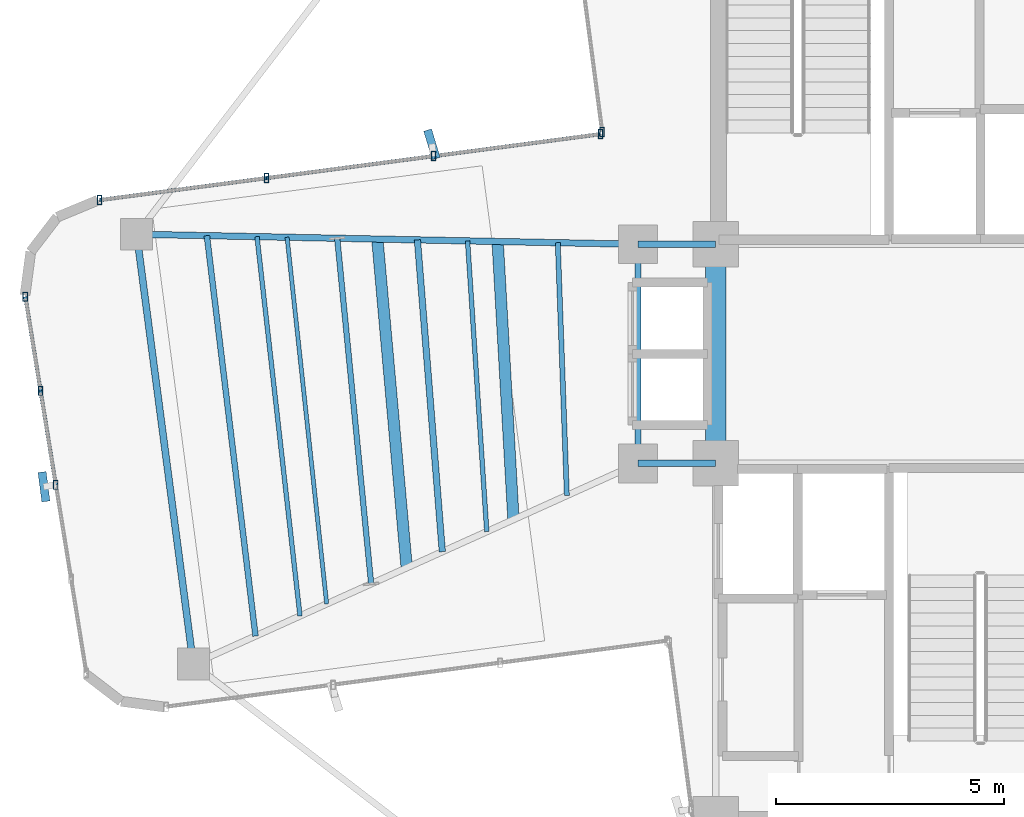
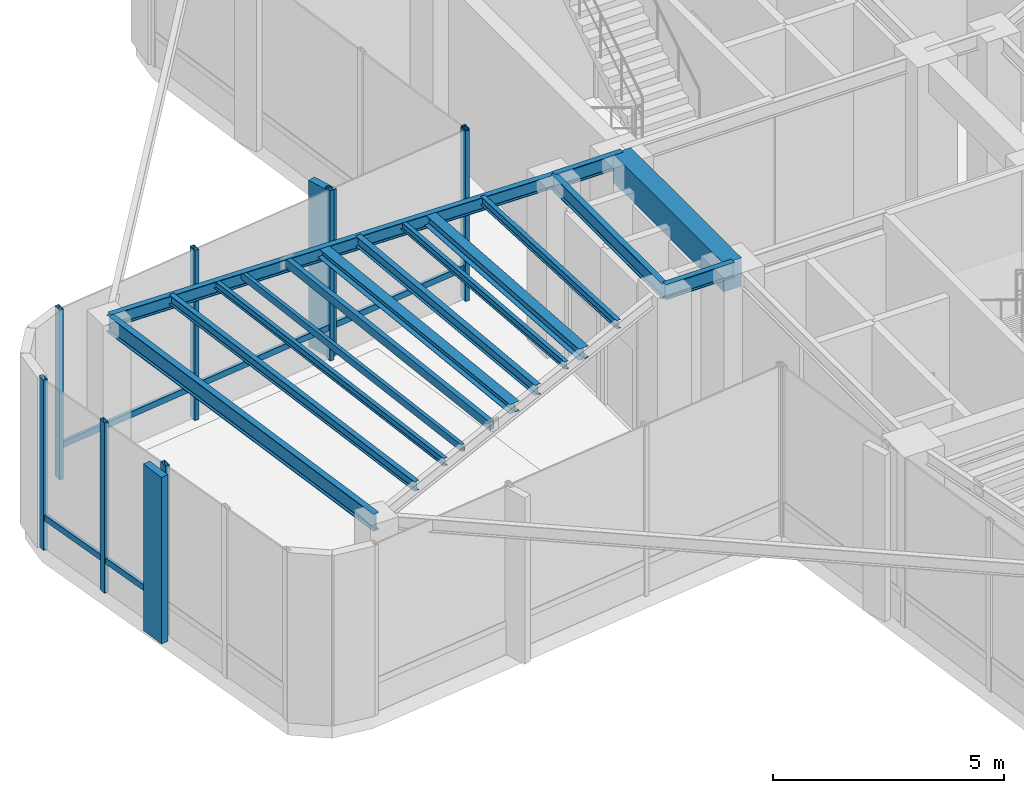
# One storey, part 5 of 16: 15 beams, 15 members, 3 elements without a shape of their own.
"""IFC4 building model written with IfcOpenShell, lengths in metres."""

from ifc_helpers import new_model, si_unit, direction, frame, origin, origin_2d, place, context, subcontext, project, spatial, rectangle, hollow_rectangle, i_section, extrude, source, transform, mapped, material, material_profile, profile_set, type_object, element, aggregate, save


model = new_model("IFC4")

# Units and contexts
model_context = context("Model", 3, precision=1e-05, world=origin(), true_north=direction((0.0, 1.0)))
body_context = subcontext(model_context, "Body", "Model", "MODEL_VIEW")
ifc_project = project(units=[si_unit("LENGTHUNIT", "METRE"), si_unit("AREAUNIT", "SQUARE_METRE"), si_unit("VOLUMEUNIT", "CUBIC_METRE"), si_unit("PLANEANGLEUNIT", "RADIAN"), si_unit("MASSUNIT", "GRAM", prefix="KILO")], contexts=[model_context])

# Site, building, storey
site_placement = place(None, origin())
site = spatial("IfcSite", under=ifc_project, at=site_placement, CompositionType="ELEMENT")
building_placement = place(site_placement, origin())
building = spatial("IfcBuilding", under=site, at=building_placement, Name="Sahyath Konkavel Grand Hotel", CompositionType="ELEMENT")
storey_placement = place(building_placement, frame((0.0, 0.0, 280.300048828125)))
storey = spatial("IfcBuildingStorey", under=building, at=storey_placement, Name="L78", CompositionType="ELEMENT", Elevation=280.300048828125)

# Beams
ifc_material_1 = material(Name="Steel E350", Category="steel")
ifc_material_profile_1 = material_profile(ifc_material_1, i_section(OverallWidth=0.139892578125, OverallDepth=0.39990234375, WebThickness=0.0087890625, FlangeThickness=0.01611328125, FilletRadius=0.013916015625, at=origin_2d()), Name="ISMB 400")
ifc_profile_set_1 = profile_set([ifc_material_profile_1], Name="Steel E350")
beam_type_1 = type_object("IfcBeamType", Name="BM-ISMB400", PredefinedType="BEAM", material=ifc_profile_set_1)
shared_shape_1 = source(origin(), body_context, "Body", "SweptSolid", [
    extrude(i_section(OverallWidth=0.139892578125, OverallDepth=0.39990234375, WebThickness=0.0087890625, FlangeThickness=0.01611328125, FilletRadius=0.013916015625, at=origin_2d()), origin(), (0.0, 0.0, 1.0), 1.699951171875),
])
for number, where, z_axis, x_axis, name in (
    (1, (-5.5, 2.39990234375, 4.300048828125), (1.0, 0.0, 0.0), (0.0, 1.0, 0.0), "str:bm:L78:HB-NW"),
    (2, (-5.5, -2.39990234375, 4.300048828125), (1.0, 0.0, 0.0), (0.0, 1.0, 0.0), "str:bm:L78:HB-SW"),
):
    element("IfcBeam", number, at=place(storey_placement, frame(where, z_axis=z_axis, x_axis=x_axis)), inside=storey, type_object=beam_type_1, Name=name, PredefinedType="BEAM", context=body_context, shape_type="MappedRepresentation", body=[
        mapped(shared_shape_1, transform((0.0, 0.0, 0.0), scale=1.0)),
    ])
shared_shape_2 = source(origin(), body_context, "Body", "SweptSolid", [
    extrude(i_section(OverallWidth=0.139892578125, OverallDepth=0.39990234375, WebThickness=0.0087890625, FlangeThickness=0.01611328125, FilletRadius=0.013916015625, at=origin_2d()), origin(), (0.0, 0.0, 1.0), 4.7998046875),
])
beam_1_placement = place(storey_placement, frame((-5.5, -2.39990234375, 4.300048828125), z_axis=(0.0, 1.0, 0.0), x_axis=(-1.0, 0.0, 0.0)))
element("IfcBeam", 3, at=beam_1_placement, inside=storey, type_object=beam_type_1, Name="str:bm:L78:HB-W", PredefinedType="BEAM", context=body_context, shape_type="MappedRepresentation", body=[
    mapped(shared_shape_2, transform((0.0, 0.0, 0.0), scale=1.0)),
])
ifc_material_2 = material(Name="Concrete C40/50", Category="concrete")
ifc_material_profile_2 = material_profile(ifc_material_2, rectangle(XDim=0.449951171875, YDim=0.75, at=origin_2d()), Name="RC 450x750")
ifc_profile_set_2 = profile_set([ifc_material_profile_2], Name="Concrete C40/50")
beam_type_2 = type_object("IfcBeamType", Name="BM-CB450x750", PredefinedType="LINTEL", material=ifc_profile_set_2)
shared_shape_3 = source(origin(), body_context, "Body", "SweptSolid", [
    extrude(rectangle(XDim=0.449951171875, YDim=0.75, at=origin_2d()), origin(), (0.0, 0.0, 1.0), 4.7998046875),
])
beam_2_placement = place(storey_placement, frame((-3.800048828125, -2.39990234375, 4.125), z_axis=(0.0, 1.0, 0.0), x_axis=(-1.0, 0.0, 0.0)))
element("IfcBeam", 4, at=beam_2_placement, inside=storey, type_object=beam_type_2, Name="L78 Split-Core Coupling Beam West", PredefinedType="LINTEL", context=body_context, shape_type="MappedRepresentation", body=[
    mapped(shared_shape_3, transform((0.0, 0.0, 0.0), scale=1.0)),
])
ifc_material_profile_3 = material_profile(ifc_material_1, i_section(OverallWidth=0.14990234375, OverallDepth=0.449951171875, WebThickness=0.009521484375, FlangeThickness=0.017333984375, FilletRadius=0.014892578125, at=origin_2d()), Name="ISMB 450")
ifc_profile_set_3 = profile_set([ifc_material_profile_3], Name="Steel E350")
beam_type_3 = type_object("IfcBeamType", Name="BM-ISMB450", PredefinedType="BEAM", material=ifc_profile_set_3)
shared_shape_4 = source(origin(), body_context, "Body", "SweptSolid", [
    extrude(i_section(OverallWidth=0.14990234375, OverallDepth=0.449951171875, WebThickness=0.009521484375, FlangeThickness=0.017333984375, FilletRadius=0.014892578125, at=origin_2d()), origin(), (0.0, 0.0, 1.0), 9.5),
])
beam_3_placement = place(storey_placement, frame((-16.483154296875, 2.620849609375, 4.27490234375), z_axis=(0.130525643939, -0.991444933556, 0.0), x_axis=(0.991444933556, 0.130525643939, 0.0)))
element("IfcBeam", 5, at=beam_3_placement, inside=storey, type_object=beam_type_3, Name="L78 Wing Tip Edge Beam W", PredefinedType="BEAM", context=body_context, shape_type="MappedRepresentation", body=[
    mapped(shared_shape_4, transform((0.0, 0.0, 0.0), scale=1.0)),
])
ifc_material_profile_4 = material_profile(ifc_material_1, i_section(OverallWidth=0.139892578125, OverallDepth=0.35009765625, WebThickness=0.008056640625, FlangeThickness=0.01416015625, FilletRadius=0.013916015625, at=origin_2d()), Name="ISMB 350")
ifc_profile_set_4 = profile_set([ifc_material_profile_4], Name="Steel E350")
beam_type_4 = type_object("IfcBeamType", Name="BM-ISMB350", PredefinedType="BEAM", material=ifc_profile_set_4)
shared_shape_5 = source(origin(), body_context, "Body", "SweptSolid", [
    extrude(i_section(OverallWidth=0.139892578125, OverallDepth=0.35009765625, WebThickness=0.008056640625, FlangeThickness=0.01416015625, FilletRadius=0.013916015625, at=origin_2d()), origin(), (0.0, 0.0, 1.0), 10.9853515625),
])
beam_4_placement = place(storey_placement, frame((-5.5, 2.39990234375, 4.324951171875), z_axis=(-0.999797716106, 0.020112853337, 0.0), x_axis=(-0.020112853337, -0.999797716106, 0.0)))
element("IfcBeam", 6, at=beam_4_placement, inside=storey, type_object=beam_type_4, Name="L78 Cruciform Radial Girder WA", PredefinedType="BEAM", context=body_context, shape_type="MappedRepresentation", body=[
    mapped(shared_shape_5, transform((0.0, 0.0, 0.0), scale=1.0)),
])
ifc_material_profile_5 = material_profile(ifc_material_1, i_section(OverallWidth=0.25, OverallDepth=0.300048828125, WebThickness=0.009521484375, FlangeThickness=0.010498046875, FilletRadius=0.010986328125, at=origin_2d()), Name="ISHB 300")
ifc_profile_set_5 = profile_set([ifc_material_profile_5], Name="Steel E350")
beam_type_5 = type_object("IfcBeamType", Name="BM-ISHB300", PredefinedType="BEAM", material=ifc_profile_set_5)
shared_shape_6 = source(origin(), body_context, "Body", "SweptSolid", [
    extrude(i_section(OverallWidth=0.25, OverallDepth=0.300048828125, WebThickness=0.009521484375, FlangeThickness=0.010498046875, FilletRadius=0.010986328125, at=origin_2d()), origin(), (0.0, 0.0, 1.0), 6.10302734375),
])
beam_5_placement = place(storey_placement, frame((-8.5751953125, 2.4619140625, 4.349853515625), z_axis=(0.056883465537, -0.99838082481, 0.0), x_axis=(0.99838082481, 0.056883465537, 0.0)))
element("IfcBeam", 7, at=beam_5_placement, inside=storey, type_object=beam_type_5, Name="L78 Secondary Floor Beam W-1", PredefinedType="BEAM", context=body_context, shape_type="MappedRepresentation", body=[
    mapped(shared_shape_6, transform((0.0, 0.0, 0.0), scale=1.0)),
])
ifc_material_profile_6 = material_profile(ifc_material_1, i_section(OverallWidth=0.25, OverallDepth=0.25, WebThickness=0.0087890625, FlangeThickness=0.009765625, FilletRadius=0.010009765625, at=origin_2d()), Name="ISHB 250")
ifc_profile_set_6 = profile_set([ifc_material_profile_6], Name="Steel E350")
beam_type_6 = type_object("IfcBeamType", Name="BM-ISHB250", PredefinedType="BEAM", material=ifc_profile_set_6)
shared_shape_7 = source(origin(), body_context, "Body", "SweptSolid", [
    extrude(i_section(OverallWidth=0.25, OverallDepth=0.25, WebThickness=0.0087890625, FlangeThickness=0.009765625, FilletRadius=0.010009765625, at=origin_2d()), origin(), (0.0, 0.0, 1.0), 7.230712890625),
])
beam_6_placement = place(storey_placement, frame((-11.211181640625, 2.514892578125, 4.375), z_axis=(0.089171800482, -0.996016259907, 0.0), x_axis=(0.996016259907, 0.089171800482, 0.0)))
element("IfcBeam", 8, at=beam_6_placement, inside=storey, type_object=beam_type_6, Name="L78 Secondary Floor Beam W-2", PredefinedType="BEAM", context=body_context, shape_type="MappedRepresentation", body=[
    mapped(shared_shape_7, transform((0.0, 0.0, 0.0), scale=1.0)),
])
ifc_material_profile_7 = material_profile(ifc_material_1, i_section(OverallWidth=0.10009765625, OverallDepth=0.199951171875, WebThickness=0.005615234375, FlangeThickness=0.0107421875, FilletRadius=0.010986328125, at=origin_2d()), Name="ISMB 200")
ifc_profile_set_7 = profile_set([ifc_material_profile_7], Name="Steel E350")
beam_type_7 = type_object("IfcBeamType", Name="BM-ISMB200", PredefinedType="BEAM", material=ifc_profile_set_7)
shared_shape_8 = source(origin(), body_context, "Body", "SweptSolid", [
    extrude(i_section(OverallWidth=0.10009765625, OverallDepth=0.199951171875, WebThickness=0.005615234375, FlangeThickness=0.0107421875, FilletRadius=0.010986328125, at=origin_2d()), origin(), (0.0, 0.0, 1.0), 8.36328125),
])
beam_7_placement = place(storey_placement, frame((-13.84716796875, 2.56787109375, 4.39990234375), z_axis=(0.112680437677, -0.99363127918, 0.0), x_axis=(0.99363127918, 0.112680437677, 0.0)))
element("IfcBeam", 9, at=beam_7_placement, inside=storey, type_object=beam_type_7, Name="L78 Secondary Floor Beam W-3", PredefinedType="BEAM", context=body_context, shape_type="MappedRepresentation", body=[
    mapped(shared_shape_8, transform((0.0, 0.0, 0.0), scale=1.0)),
])
ifc_material_profile_8 = material_profile(ifc_material_1, i_section(OverallWidth=0.110107421875, OverallDepth=0.22509765625, WebThickness=0.006591796875, FlangeThickness=0.01171875, FilletRadius=0.011962890625, at=origin_2d()), Name="ISMB 225")
ifc_profile_set_8 = profile_set([ifc_material_profile_8], Name="Steel E350")
beam_type_8 = type_object("IfcBeamType", Name="BM-ISMB225", PredefinedType="BEAM", material=ifc_profile_set_8)
shared_shape_9 = source(origin(), body_context, "Body", "SweptSolid", [
    extrude(i_section(OverallWidth=0.110107421875, OverallDepth=0.22509765625, WebThickness=0.006591796875, FlangeThickness=0.01171875, FilletRadius=0.011962890625, at=origin_2d()), origin(), (0.0, 0.0, 1.0), 5.54248046875),
])
beam_8_placement = place(storey_placement, frame((-7.25732421875, 2.435302734375, 4.387451171875), z_axis=(0.035812512973, -0.999358526213, 0.0), x_axis=(0.999358526213, 0.035812512973, 0.0)))
element("IfcBeam", 10, at=beam_8_placement, inside=storey, type_object=beam_type_8, Name="L78 Composite Deck Sub-Beam W-1", PredefinedType="BEAM", context=body_context, shape_type="MappedRepresentation", body=[
    mapped(shared_shape_9, transform((0.0, 0.0, 0.0), scale=1.0)),
])
shared_shape_10 = source(origin(), body_context, "Body", "SweptSolid", [
    extrude(i_section(OverallWidth=0.10009765625, OverallDepth=0.199951171875, WebThickness=0.005615234375, FlangeThickness=0.0107421875, FilletRadius=0.010986328125, at=origin_2d()), origin(), (0.0, 0.0, 1.0), 6.38427734375),
])
beam_9_placement = place(storey_placement, frame((-9.234375, 2.47509765625, 4.39990234375), z_axis=(0.066041839115, -0.997816854681, 0.0), x_axis=(0.997816854681, 0.066041839115, 0.0)))
element("IfcBeam", 11, at=beam_9_placement, inside=storey, type_object=beam_type_7, Name="L78 Composite Deck Sub-Beam W-2", PredefinedType="BEAM", context=body_context, shape_type="MappedRepresentation", body=[
    mapped(shared_shape_10, transform((0.0, 0.0, 0.0), scale=1.0)),
])
ifc_material_profile_9 = material_profile(ifc_material_1, i_section(OverallWidth=0.139892578125, OverallDepth=0.27490234375, WebThickness=0.00634765625, FlangeThickness=0.0087890625, FilletRadius=0.012939453125, at=origin_2d()), Name="ISLB 275")
ifc_profile_set_9 = profile_set([ifc_material_profile_9], Name="Steel E350")
beam_type_9 = type_object("IfcBeamType", Name="BM-ISLB275", PredefinedType="BEAM", material=ifc_profile_set_9)
shared_shape_11 = source(origin(), body_context, "Body", "SweptSolid", [
    extrude(i_section(OverallWidth=0.139892578125, OverallDepth=0.27490234375, WebThickness=0.00634765625, FlangeThickness=0.0087890625, FilletRadius=0.012939453125, at=origin_2d()), origin(), (0.0, 0.0, 1.0), 6.85400390625),
])
beam_10_placement = place(storey_placement, frame((-10.33251953125, 2.497314453125, 4.362548828125), z_axis=(0.079575331875, -0.996828855199, 0.0), x_axis=(0.996828855199, 0.079575331875, 0.0)))
element("IfcBeam", 12, at=beam_10_placement, inside=storey, type_object=beam_type_9, Name="L78 Composite Deck Sub-Beam W-3", PredefinedType="BEAM", context=body_context, shape_type="MappedRepresentation", body=[
    mapped(shared_shape_11, transform((0.0, 0.0, 0.0), scale=1.0)),
])
ifc_material_profile_10 = material_profile(ifc_material_1, hollow_rectangle(XDim=0.1201171875, YDim=0.219970703125, WallThickness=0.010009765625, at=origin_2d()), Name="RHS 220x120x10")
ifc_profile_set_10 = profile_set([ifc_material_profile_10], Name="Steel E350")
beam_type_10 = type_object("IfcBeamType", Name="BM-RHS220", PredefinedType="BEAM", material=ifc_profile_set_10)
shared_shape_12 = source(origin(), body_context, "Body", "SweptSolid", [
    extrude(hollow_rectangle(XDim=0.1201171875, YDim=0.219970703125, WallThickness=0.010009765625, at=origin_2d()), origin(), (0.0, 0.0, 1.0), 7.607666015625),
])
beam_11_placement = place(storey_placement, frame((-12.08984375, 2.532470703125, 4.389892578125), z_axis=(0.09778145576, -0.995207911398, 0.0), x_axis=(0.995207911398, 0.09778145576, 0.0)))
element("IfcBeam", 13, at=beam_11_placement, inside=storey, type_object=beam_type_10, Name="L78 Composite Deck Sub-Beam W-4", PredefinedType="BEAM", context=body_context, shape_type="MappedRepresentation", body=[
    mapped(shared_shape_12, transform((0.0, 0.0, 0.0), scale=1.0)),
])
ifc_material_profile_11 = material_profile(ifc_material_1, hollow_rectangle(XDim=0.090087890625, YDim=0.179931640625, WallThickness=0.008056640625, at=origin_2d()), Name="RHS 180x90x8")
ifc_profile_set_11 = profile_set([ifc_material_profile_11], Name="Steel E350")
beam_type_11 = type_object("IfcBeamType", Name="BM-RHS180", PredefinedType="BEAM", material=ifc_profile_set_11)
shared_shape_13 = source(origin(), body_context, "Body", "SweptSolid", [
    extrude(hollow_rectangle(XDim=0.090087890625, YDim=0.179931640625, WallThickness=0.008056640625, at=origin_2d()), origin(), (0.0, 0.0, 1.0), 8.079833984375),
])
beam_12_placement = place(storey_placement, frame((-13.188232421875, 2.5546875, 4.409912109375), z_axis=(0.107416459243, -0.994214113903, 0.0), x_axis=(0.994214113903, 0.107416459243, 0.0)))
element("IfcBeam", 14, at=beam_12_placement, inside=storey, type_object=beam_type_11, Name="L78 Composite Deck Sub-Beam W-5", PredefinedType="BEAM", context=body_context, shape_type="MappedRepresentation", body=[
    mapped(shared_shape_13, transform((0.0, 0.0, 0.0), scale=1.0)),
])
ifc_material_profile_12 = material_profile(ifc_material_1, i_section(OverallWidth=0.125, OverallDepth=0.25, WebThickness=0.0068359375, FlangeThickness=0.012451171875, FilletRadius=0.012939453125, at=origin_2d()), Name="ISMB 250")
ifc_profile_set_12 = profile_set([ifc_material_profile_12], Name="Steel E350")
beam_type_12 = type_object("IfcBeamType", Name="BM-ISMB250", PredefinedType="BEAM", material=ifc_profile_set_12)
shared_shape_14 = source(origin(), body_context, "Body", "SweptSolid", [
    extrude(i_section(OverallWidth=0.125, OverallDepth=0.25, WebThickness=0.0068359375, FlangeThickness=0.012451171875, FilletRadius=0.012939453125, at=origin_2d()), origin(), (0.0, 0.0, 1.0), 8.8369140625),
])
beam_13_placement = place(storey_placement, frame((-14.945556640625, 2.590087890625, 4.375), z_axis=(0.120677894343, -0.992691717411, 0.0), x_axis=(0.992691717411, 0.120677894343, 0.0)))
element("IfcBeam", 15, at=beam_13_placement, inside=storey, type_object=beam_type_12, Name="L78 Composite Deck Sub-Beam W-6", PredefinedType="BEAM", context=body_context, shape_type="MappedRepresentation", body=[
    mapped(shared_shape_14, transform((0.0, 0.0, 0.0), scale=1.0)),
])

# Curtain wall, members
ifc_material_3 = material(Name="Anodised Bronze Aluminium & Low-E Glazing", Category="aluminium")
curtain_wall_type = type_object("IfcCurtainWallType", Name="CW-CROWN-TMD", PredefinedType="NOTDEFINED", material=ifc_material_3)
curtain_wall_1_placement = place(storey_placement, origin())
curtain_wall_1 = element("IfcCurtainWall", 16, at=curtain_wall_1_placement, inside=storey, type_object=curtain_wall_type, Name="L78 Unitised Curtain Wall F20", PredefinedType="NOTDEFINED")
ifc_material_4 = material(Name="Anodised Bronze Aluminium", Category="aluminium")
ifc_material_profile_13 = material_profile(ifc_material_4, hollow_rectangle(XDim=0.080078125, YDim=0.159912109375, WallThickness=0.006103515625, at=origin_2d()), Name="RHS 160x80x6")
ifc_profile_set_13 = profile_set([ifc_material_profile_13], Name="Anodised Bronze Aluminium")
member_type_1 = type_object("IfcMemberType", Name="CW-TRN-160", PredefinedType="USERDEFINED", material=ifc_profile_set_13)
shared_shape_15 = source(origin(), body_context, "Body", "SweptSolid", [
    extrude(hollow_rectangle(XDim=0.080078125, YDim=0.159912109375, WallThickness=0.006103515625, at=origin_2d()), origin(), (0.0, 0.0, 1.0), 2.087158203125),
])
member_1_placement = place(storey_placement, frame((-18.923828125, 1.25048828125, 0.849853515625), z_axis=(0.159559758546, -0.987188271533, 0.0), x_axis=(0.987188271533, 0.159559758546, 0.0)))
member_1 = element("IfcMember", 17, at=member_1_placement, type_object=member_type_1, Name="L78 Curtain Wall Transom F20-0-spandrel", ObjectType="TRANSOM", PredefinedType="USERDEFINED", context=body_context, shape_type="MappedRepresentation", body=[
    mapped(shared_shape_15, transform((0.0, 0.0, 0.0), scale=1.0)),
])
member_2_placement = place(storey_placement, frame((-18.5908203125, -0.809814453125, 0.849853515625), z_axis=(0.159673756436, -0.98716983924, 0.0), x_axis=(0.98716983924, 0.159673756436, 0.0)))
member_2 = element("IfcMember", 18, at=member_2_placement, type_object=member_type_1, Name="L78 Curtain Wall Transom F20-1-spandrel", ObjectType="TRANSOM", PredefinedType="USERDEFINED", context=body_context, shape_type="MappedRepresentation", body=[
    mapped(shared_shape_15, transform((0.0, 0.0, 0.0), scale=1.0)),
])

# Curtain wall, member
curtain_wall_2_placement = place(storey_placement, origin())
curtain_wall_2 = element("IfcCurtainWall", 19, at=curtain_wall_2_placement, inside=storey, type_object=curtain_wall_type, Name="L78 Unitised Curtain Wall F15", PredefinedType="NOTDEFINED")
ifc_material_profile_14 = material_profile(ifc_material_4, hollow_rectangle(XDim=0.10009765625, YDim=0.199951171875, WallThickness=0.008056640625, at=origin_2d()), Name="RHS 200x100x8")
ifc_profile_set_14 = profile_set([ifc_material_profile_14], Name="Anodised Bronze Aluminium")
member_type_2 = type_object("IfcMemberType", Name="CW-MUL-200", PredefinedType="MULLION", material=ifc_profile_set_14)
shared_shape_16 = source(origin(), body_context, "Body", "SweptSolid", [
    extrude(hollow_rectangle(XDim=0.10009765625, YDim=0.199951171875, WallThickness=0.008056640625, at=origin_2d()), origin(), (0.0, 0.0, 1.0), 4.5),
])
member_3_placement = place(storey_placement, frame((-6.2880859375, 4.86083984375, 0.0), z_axis=(0.0, 0.0, 1.0), x_axis=(1.0, 0.0, 0.0)))
member_3 = element("IfcMember", 20, at=member_3_placement, type_object=member_type_2, Name="L78 Curtain Wall Mullion F15-3", PredefinedType="MULLION", context=body_context, shape_type="MappedRepresentation", body=[
    mapped(shared_shape_16, transform((0.0, 0.0, 0.0), scale=1.0)),
])
aggregate(curtain_wall_2, [member_3])

# Curtain wall, members
curtain_wall_3_placement = place(storey_placement, origin())
curtain_wall_3 = element("IfcCurtainWall", 21, at=curtain_wall_3_placement, inside=storey, type_object=curtain_wall_type, Name="L78 Unitised Curtain Wall F16", PredefinedType="NOTDEFINED")
member_4_placement = place(storey_placement, frame((-6.32275390625, 4.81591796875, 0.0), z_axis=(0.0, 0.0, 1.0), x_axis=(1.0, 0.0, 0.0)))
member_4 = element("IfcMember", 22, at=member_4_placement, type_object=member_type_2, Name="L78 Curtain Wall Mullion F16-0", PredefinedType="MULLION", context=body_context, shape_type="MappedRepresentation", body=[
    mapped(shared_shape_16, transform((0.0, 0.0, 0.0), scale=1.0)),
])
member_5_placement = place(storey_placement, frame((-9.981201171875, 4.334228515625, 0.0), z_axis=(0.0, 0.0, 1.0), x_axis=(1.0, 0.0, 0.0)))
member_5 = element("IfcMember", 23, at=member_5_placement, type_object=member_type_2, Name="L78 Curtain Wall Mullion F16-1", PredefinedType="MULLION", context=body_context, shape_type="MappedRepresentation", body=[
    mapped(shared_shape_16, transform((0.0, 0.0, 0.0), scale=1.0)),
])
member_6_placement = place(storey_placement, frame((-13.639404296875, 3.8525390625, 0.0), z_axis=(0.0, 0.0, 1.0), x_axis=(1.0, 0.0, 0.0)))
member_6 = element("IfcMember", 24, at=member_6_placement, type_object=member_type_2, Name="L78 Curtain Wall Mullion F16-2", PredefinedType="MULLION", context=body_context, shape_type="MappedRepresentation", body=[
    mapped(shared_shape_16, transform((0.0, 0.0, 0.0), scale=1.0)),
])
member_7_placement = place(storey_placement, frame((-17.2978515625, 3.37109375, 0.0), z_axis=(0.0, 0.0, 1.0), x_axis=(1.0, 0.0, 0.0)))
member_7 = element("IfcMember", 25, at=member_7_placement, type_object=member_type_2, Name="L78 Curtain Wall Mullion F16-3", PredefinedType="MULLION", context=body_context, shape_type="MappedRepresentation", body=[
    mapped(shared_shape_16, transform((0.0, 0.0, 0.0), scale=1.0)),
])

# Member
member_8_placement = place(storey_placement, frame((-18.923828125, 1.25048828125, 0.0), z_axis=(0.0, 0.0, 1.0), x_axis=(1.0, 0.0, 0.0)))
member_8 = element("IfcMember", 26, at=member_8_placement, type_object=member_type_2, Name="L78 Curtain Wall Mullion F20-0", PredefinedType="MULLION", context=body_context, shape_type="MappedRepresentation", body=[
    mapped(shared_shape_16, transform((0.0, 0.0, 0.0), scale=1.0)),
])

member_9_placement = place(storey_placement, frame((-18.5908203125, -0.809814453125, 0.0), z_axis=(0.0, 0.0, 1.0), x_axis=(1.0, 0.0, 0.0)))
member_9 = element("IfcMember", 27, at=member_9_placement, type_object=member_type_2, Name="L78 Curtain Wall Mullion F20-1", PredefinedType="MULLION", context=body_context, shape_type="MappedRepresentation", body=[
    mapped(shared_shape_16, transform((0.0, 0.0, 0.0), scale=1.0)),
])

member_10_placement = place(storey_placement, frame((-18.257568359375, -2.8701171875, 0.0), z_axis=(0.0, 0.0, 1.0), x_axis=(1.0, 0.0, 0.0)))
member_10 = element("IfcMember", 28, at=member_10_placement, type_object=member_type_2, Name="L78 Curtain Wall Mullion F20-2", PredefinedType="MULLION", context=body_context, shape_type="MappedRepresentation", body=[
    mapped(shared_shape_16, transform((0.0, 0.0, 0.0), scale=1.0)),
])

ifc_material_5 = material(Name="Warm Buff Sandstone Cladding on Concrete C50/60", Category="masonry")
ifc_material_profile_15 = material_profile(ifc_material_5, rectangle(XDim=0.179931640625, YDim=0.64990234375, at=origin_2d()), Name="FIN 180x650")
ifc_profile_set_15 = profile_set([ifc_material_profile_15], Name="Warm Buff Sandstone Cladding on Concrete C50/60")
member_type_3 = type_object("IfcMemberType", Name="FIN-SANDSTONE-650", PredefinedType="MULLION", material=ifc_profile_set_15)
shared_shape_17 = source(origin(), body_context, "Body", "SweptSolid", [
    extrude(rectangle(XDim=0.179931640625, YDim=0.64990234375, at=origin_2d()), origin(), (0.0, 0.0, 1.0), 4.39990234375),
])
member_11_placement = place(storey_placement, frame((-10.014892578125, 4.592041015625, 0.050048828125), z_axis=(0.0, 0.0, 1.0), x_axis=(0.957117481996, 0.289700061544, 0.0)))
member_11 = element("IfcMember", 29, at=member_11_placement, type_object=member_type_3, Name="L78 Sandstone Vertical Solar Fin FIN F16-1", PredefinedType="MULLION", context=body_context, shape_type="MappedRepresentation", body=[
    mapped(shared_shape_17, transform((0.0, 0.0, 0.0), scale=1.0)),
])

member_12_placement = place(storey_placement, frame((-18.514404296875, -2.91162109375, 0.050048828125), z_axis=(0.0, 0.0, 1.0), x_axis=(0.991648668207, 0.128968673884, 0.0)))
member_12 = element("IfcMember", 30, at=member_12_placement, type_object=member_type_3, Name="L78 Sandstone Vertical Solar Fin FIN F20-2", PredefinedType="MULLION", context=body_context, shape_type="MappedRepresentation", body=[
    mapped(shared_shape_17, transform((0.0, 0.0, 0.0), scale=1.0)),
])

aggregate(curtain_wall_1, [member_8, member_9, member_10, member_12, member_1, member_2])

shared_shape_18 = source(origin(), body_context, "Body", "SweptSolid", [
    extrude(hollow_rectangle(XDim=0.080078125, YDim=0.159912109375, WallThickness=0.006103515625, at=origin_2d()), origin(), (0.0, 0.0, 1.0), 3.68994140625),
])
member_13_placement = place(storey_placement, frame((-6.32275390625, 4.81591796875, 0.849853515625), z_axis=(-0.991443257426, -0.130538374835, 0.0), x_axis=(0.130538374835, -0.991443257426, 0.0)))
member_13 = element("IfcMember", 31, at=member_13_placement, type_object=member_type_1, Name="L78 Curtain Wall Transom F16-0-spandrel", ObjectType="TRANSOM", PredefinedType="USERDEFINED", context=body_context, shape_type="MappedRepresentation", body=[
    mapped(shared_shape_18, transform((0.0, 0.0, 0.0), scale=1.0)),
])

member_14_placement = place(storey_placement, frame((-13.639404296875, 3.8525390625, 0.849853515625), z_axis=(-0.991451818194, -0.130473339038, 0.0), x_axis=(0.130473339038, -0.991451818194, 0.0)))
member_14 = element("IfcMember", 32, at=member_14_placement, type_object=member_type_1, Name="L78 Curtain Wall Transom F16-2-spandrel", ObjectType="TRANSOM", PredefinedType="USERDEFINED", context=body_context, shape_type="MappedRepresentation", body=[
    mapped(shared_shape_18, transform((0.0, 0.0, 0.0), scale=1.0)),
])

shared_shape_19 = source(origin(), body_context, "Body", "SweptSolid", [
    extrude(hollow_rectangle(XDim=0.080078125, YDim=0.159912109375, WallThickness=0.006103515625, at=origin_2d()), origin(), (0.0, 0.0, 1.0), 3.689697265625),
])
member_15_placement = place(storey_placement, frame((-9.981201171875, 4.334228515625, 0.849853515625), z_axis=(-0.99144212989, -0.130546938219, 0.0), x_axis=(0.130546938219, -0.99144212989, 0.0)))
member_15 = element("IfcMember", 33, at=member_15_placement, type_object=member_type_1, Name="L78 Curtain Wall Transom F16-1-spandrel", ObjectType="TRANSOM", PredefinedType="USERDEFINED", context=body_context, shape_type="MappedRepresentation", body=[
    mapped(shared_shape_19, transform((0.0, 0.0, 0.0), scale=1.0)),
])

aggregate(curtain_wall_3, [member_4, member_5, member_11, member_6, member_7, member_13, member_15, member_14])

save(model, "model.ifc")
